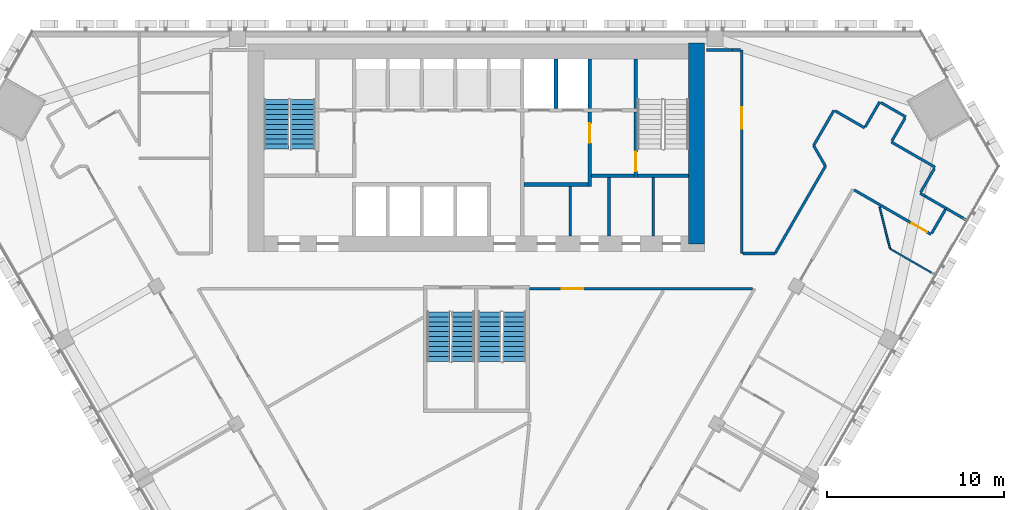
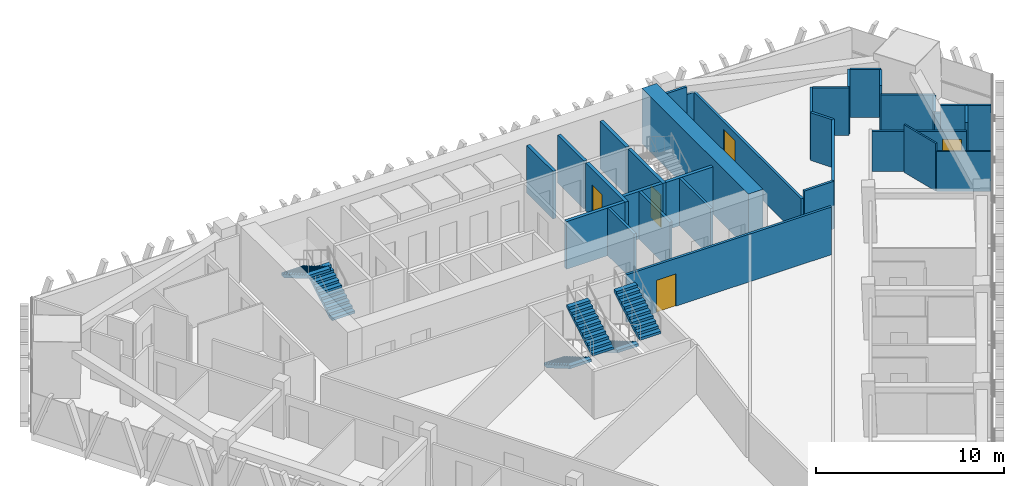
# One storey, part 12 of 16: 33 walls, 6 stair flights, 5 doors, 5 openings, 3 elements without a shape of their own.
"""IFC4 building model written with IfcOpenShell, lengths in metres."""

from ifc_helpers import new_model, si_unit, direction, frame, frame_2d, origin, place, context, subcontext, project, spatial, polyline, rectangle, outline, extrude, material, layer, layer_set, type_object, element, fill, aggregate, save


model = new_model("IFC4")

# Units and contexts
model_context = context("Model", 3, precision=1e-05, world=origin(), true_north=direction((0.0, 1.0)))
body_context = subcontext(model_context, "Body", "Model", "MODEL_VIEW")
ifc_project = project(units=[si_unit("LENGTHUNIT", "METRE"), si_unit("AREAUNIT", "SQUARE_METRE"), si_unit("VOLUMEUNIT", "CUBIC_METRE"), si_unit("PLANEANGLEUNIT", "RADIAN"), si_unit("MASSUNIT", "GRAM", prefix="KILO")], contexts=[model_context])

# Site, building, storey
site_placement = place(None, origin())
site = spatial("IfcSite", under=ifc_project, at=site_placement, CompositionType="ELEMENT")
building_placement = place(site_placement, origin())
building = spatial("IfcBuilding", under=site, at=building_placement, Name="Altiplano Prism Tower", CompositionType="ELEMENT")
storey_placement = place(building_placement, frame((0.0, 0.0, 81.0)))
storey = spatial("IfcBuildingStorey", under=building, at=storey_placement, Name="L20", CompositionType="ELEMENT", Elevation=81.0)

# Walls
ifc_material_1 = material(Name="Concrete C70/85", Category="concrete")
ifc_layer_1 = layer(ifc_material_1, 0.89990234375)
ifc_layer_set_1 = layer_set([ifc_layer_1], Name="Concrete C70/85")
wall_type_1 = type_object("IfcWallType", Name="Core wall 900", PredefinedType="SHEAR", material=ifc_layer_set_1)
wall_1_placement = place(storey_placement, frame((97.449951171875, 92.949951171875, 0.0), z_axis=(0.0, 0.0, 1.0), x_axis=(0.0, 1.0, 0.0)))
element("IfcWall", 1, at=wall_1_placement, inside=storey, type_object=wall_type_1, Name="Core wall E L20", PredefinedType="SHEAR", context=body_context, shape_type="SweptSolid", body=[
    extrude(rectangle(XDim=11.35009765625, YDim=0.89990234375, at=frame_2d((5.675048828125, 0.0))), origin(), (0.0, 0.0, 1.0), 3.60009765625),
])
ifc_material_2 = material(Name="Plasterboard on steel stud", Category="steel")
ifc_layer_2 = layer(ifc_material_2, 0.10009765625)
ifc_layer_set_2 = layer_set([ifc_layer_2], Name="Plasterboard on steel stud")
wall_type_2 = type_object("IfcWallType", Name="Partition 100 wet", PredefinedType="PARTITIONING", material=ifc_layer_set_2)
wall_2_placement = place(storey_placement, frame((110.91748046875, 91.20654296875, 0.0), z_axis=(0.0, 0.0, 1.0), x_axis=(-0.865996226145, 0.500050533749, 0.0)))
element("IfcWall", 2, at=wall_2_placement, inside=storey, type_object=wall_type_2, Name="Partition P03 L20 072", PredefinedType="PARTITIONING", context=body_context, shape_type="SweptSolid", body=[
    extrude(rectangle(XDim=2.920166015625, YDim=0.10009765625, at=frame_2d((1.4599609375, 0.0))), origin(), (0.0, 0.0, 1.0), 2.60009765625),
])
wall_3_placement = place(storey_placement, frame((108.388671875, 92.666748046875, 0.0), z_axis=(0.0, 0.0, 1.0), x_axis=(-0.241970246572, 0.970283669745, 0.0)))
element("IfcWall", 3, at=wall_3_placement, inside=storey, type_object=wall_type_2, Name="Partition P03 L20 073", PredefinedType="PARTITIONING", context=body_context, shape_type="SweptSolid", body=[
    extrude(rectangle(XDim=2.438720703125, YDim=0.10009765625, at=frame_2d((1.21923828125, 0.0))), origin(), (0.0, 0.0, 1.0), 3.10009765625),
])

# Wall, opening, door
ifc_layer_3 = layer(ifc_material_2, 0.14990234375)
ifc_layer_set_3 = layer_set([ifc_layer_3], Name="Plasterboard on steel stud")
wall_type_3 = type_object("IfcWallType", Name="Partition 150 corridor", PredefinedType="PARTITIONING", material=ifc_layer_set_3)
wall_4_placement = place(storey_placement, frame((106.3544921875, 95.993408203125, 0.0), z_axis=(0.0, 0.0, 1.0), x_axis=(0.86603105345, -0.499990214365, 0.0)))
wall_4 = element("IfcWall", 4, at=wall_4_placement, inside=storey, type_object=wall_type_3, Name="Partition P06 L20 018", PredefinedType="PARTITIONING", context=body_context, shape_type="SweptSolid", body=[
    extrude(rectangle(XDim=5.02490234375, YDim=0.14990234375, at=frame_2d((2.512451171875, 0.0))), origin(), (0.0, 0.0, 1.0), 2.60009765625),
])
opening_1_placement = place(wall_4_placement, frame((3.757080078125, 0.0, 0.0)))
opening_1 = element("IfcOpeningElement", 5, at=opening_1_placement, cuts=wall_4, Name="Opening D0778", PredefinedType="OPENING", context=body_context, shape_type="SweptSolid", body=[
    extrude(rectangle(XDim=1.0, YDim=2.10009765625, at=frame_2d((0.5, 1.050048828125))), frame((0.0, 0.08544921875, 0.0), z_axis=(0.0, -1.0, 0.0), x_axis=(1.0, 0.0, 0.0)), (0.0, 0.0, 1.0), 0.1708984375),
])
ifc_material_3 = material(Name="Timber", Category="wood")
door_type_1 = type_object("IfcDoorType", Name="Room door 1000 x 2100", OperationType="NOTDEFINED", PredefinedType="NOTDEFINED", material=ifc_material_3)
door_1_placement = place(opening_1_placement, origin())
door_1 = element("IfcDoor", 6, at=door_1_placement, inside=storey, type_object=door_type_1, Name="Door D0778", OperationType="SINGLE_SWING_LEFT", OverallHeight=2.10009765625, OverallWidth=1.0, PredefinedType="NOTDEFINED", context=body_context, shape_type="SweptSolid", body=[
    extrude(rectangle(XDim=1.0, YDim=2.10009765625, at=frame_2d((0.5, 1.050048828125))), frame((0.0, 0.02490234375, 0.0), z_axis=(0.0, -1.0, 0.0), x_axis=(1.0, 0.0, 0.0)), (0.0, 0.0, 1.0), 0.050048828125),
])
fill(opening_1, door_1)

# Walls
wall_5_placement = place(storey_placement, frame((110.74365234375, 93.5458984375, 0.0), z_axis=(0.0, 0.0, 1.0), x_axis=(0.500086022567, 0.865975732936, 0.0)))
element("IfcWall", 7, at=wall_5_placement, inside=storey, type_object=wall_type_3, Name="Partition P06 L20 019", PredefinedType="PARTITIONING", context=body_context, shape_type="SweptSolid", body=[
    extrude(rectangle(XDim=1.550048828125, YDim=0.14990234375, at=frame_2d((0.77490234375, 0.0))), origin(), (0.0, 0.0, 1.0), 3.10009765625),
])
wall_6_placement = place(storey_placement, frame((111.573486328125, 94.943115234375, 0.0), z_axis=(0.0, 0.0, 1.0), x_axis=(-0.865985641702, 0.500068863623, 0.0)))
element("IfcWall", 8, at=wall_6_placement, inside=storey, type_object=wall_type_3, Name="Partition P06 L20 022", PredefinedType="PARTITIONING", context=body_context, shape_type="SweptSolid", body=[
    extrude(rectangle(XDim=1.403076171875, YDim=0.14990234375, at=frame_2d((0.70166015625, 0.0))), origin(), (0.0, 0.0, 1.0), 3.10009765625),
])
wall_7_placement = place(storey_placement, frame((110.3583984375, 95.644775390625, 0.0), z_axis=(0.0, 0.0, 1.0), x_axis=(-0.8660059538, 0.500033686847, 0.0)))
element("IfcWall", 9, at=wall_7_placement, inside=storey, type_object=wall_type_3, Name="Partition P06 L20 023", PredefinedType="PARTITIONING", context=body_context, shape_type="SweptSolid", body=[
    extrude(rectangle(XDim=0.31689453125, YDim=0.14990234375, at=frame_2d((0.158447265625, 0.0))), origin(), (0.0, 0.0, 1.0), 2.60009765625),
])
wall_8_placement = place(storey_placement, frame((110.12158203125, 95.8681640625, 0.0), z_axis=(0.0, 0.0, 1.0), x_axis=(0.499967891604, 0.866043940782, 0.0)))
element("IfcWall", 10, at=wall_8_placement, inside=storey, type_object=wall_type_3, Name="Partition P06 L20 024", PredefinedType="PARTITIONING", context=body_context, shape_type="SweptSolid", body=[
    extrude(rectangle(XDim=1.5498046875, YDim=0.14990234375, at=frame_2d((0.77490234375, 0.0))), origin(), (0.0, 0.0, 1.0), 2.60009765625),
])
wall_9_placement = place(storey_placement, frame((110.93408203125, 97.275390625, 0.0), z_axis=(0.0, 0.0, 1.0), x_axis=(-0.866039195244, 0.499976111731, 0.0)))
element("IfcWall", 11, at=wall_9_placement, inside=storey, type_object=wall_type_3, Name="Partition P06 L20 025", PredefinedType="PARTITIONING", context=body_context, shape_type="SweptSolid", body=[
    extrude(rectangle(XDim=2.860595703125, YDim=0.14990234375, at=frame_2d((1.43017578125, 0.0))), origin(), (0.0, 0.0, 1.0), 2.60009765625),
])
wall_10_placement = place(storey_placement, frame((108.494384765625, 98.7705078125, 0.0), z_axis=(0.0, 0.0, 1.0), x_axis=(0.499973719246, 0.866040576453, 0.0)))
element("IfcWall", 12, at=wall_10_placement, inside=storey, type_object=wall_type_3, Name="Partition P06 L20 026", PredefinedType="PARTITIONING", context=body_context, shape_type="SweptSolid", body=[
    extrude(rectangle(XDim=1.48583984375, YDim=0.14990234375, at=frame_2d((0.742919921875, 0.0))), origin(), (0.0, 0.0, 1.0), 3.10009765625),
])
for number, where, z_axis, x_axis, name in (
    (13, (109.274658203125, 100.122314453125, 0.0), (0.0, 0.0, 1.0), (-0.866015446554, 0.500017246033, 0.0), "Partition P06 L20 027"),
    (14, (107.802490234375, 100.97216796875, 0.0), (0.0, 0.0, 1.0), (-0.500017246033, -0.866015446554, 0.0), "Partition P06 L20 028"),
):
    element("IfcWall", number, at=place(storey_placement, frame(where, z_axis=z_axis, x_axis=x_axis)), inside=storey, type_object=wall_type_3, Name=name, PredefinedType="PARTITIONING", context=body_context, shape_type="SweptSolid", body=[
        extrude(rectangle(XDim=1.625, YDim=0.14990234375, at=frame_2d((0.8125, 0.0))), origin(), (0.0, 0.0, 1.0), 3.10009765625),
    ])
wall_11_placement = place(storey_placement, frame((106.952392578125, 99.5, 0.0), z_axis=(0.0, 0.0, 1.0), x_axis=(-0.866033512162, 0.499985955615, 0.0)))
element("IfcWall", 15, at=wall_11_placement, inside=storey, type_object=wall_type_3, Name="Partition P06 L20 029", PredefinedType="PARTITIONING", context=body_context, shape_type="SweptSolid", body=[
    extrude(rectangle(XDim=1.9248046875, YDim=0.14990234375, at=frame_2d((0.96240234375, 0.0))), origin(), (0.0, 0.0, 1.0), 3.10009765625),
])
wall_12_placement = place(storey_placement, frame((105.220458984375, 100.5, 0.0), z_axis=(0.0, 0.0, 1.0), x_axis=(-0.500027479704, -0.866009537788, 0.0)))
element("IfcWall", 16, at=wall_12_placement, inside=storey, type_object=wall_type_3, Name="Partition P06 L20 030", PredefinedType="PARTITIONING", context=body_context, shape_type="SweptSolid", body=[
    extrude(rectangle(XDim=2.309326171875, YDim=0.14990234375, at=frame_2d((1.15478515625, 0.0))), origin(), (0.0, 0.0, 1.0), 3.10009765625),
])
wall_13_placement = place(storey_placement, frame((104.065673828125, 98.5, 0.0), z_axis=(0.0, 0.0, 1.0), x_axis=(0.499980071345, -0.866036909293, 0.0)))
element("IfcWall", 17, at=wall_13_placement, inside=storey, type_object=wall_type_3, Name="Partition P06 L20 031", PredefinedType="PARTITIONING", context=body_context, shape_type="SweptSolid", body=[
    extrude(rectangle(XDim=1.33984375, YDim=0.14990234375, at=frame_2d((0.669921875, 0.0))), origin(), (0.0, 0.0, 1.0), 3.10009765625),
])
wall_14_placement = place(storey_placement, frame((104.735595703125, 97.339599609375, 0.0), z_axis=(0.0, 0.0, 1.0), x_axis=(-0.499983049987, -0.866035189658, 0.0)))
element("IfcWall", 18, at=wall_14_placement, inside=storey, type_object=wall_type_3, Name="Partition P06 L20 032", PredefinedType="PARTITIONING", context=body_context, shape_type="SweptSolid", body=[
    extrude(rectangle(XDim=5.703857421875, YDim=0.14990234375, at=frame_2d((2.85205078125, 0.0))), origin(), (0.0, 0.0, 1.0), 3.10009765625),
])
wall_15_placement = place(storey_placement, frame((101.8837890625, 92.39990234375, 0.0), z_axis=(0.0, 0.0, 1.0), x_axis=(-1.0, 0.0, 0.0)))
element("IfcWall", 19, at=wall_15_placement, inside=storey, type_object=wall_type_3, Name="Partition P06 L20 033", PredefinedType="PARTITIONING", context=body_context, shape_type="SweptSolid", body=[
    extrude(rectangle(XDim=1.808837890625, YDim=0.14990234375, at=frame_2d((0.904296875, 0.0))), origin(), (0.0, 0.0, 1.0), 3.10009765625),
])

# Wall, opening, door
wall_16_placement = place(storey_placement, frame((100.0, 92.39990234375, 0.0), z_axis=(0.0, 0.0, 1.0), x_axis=(0.0, 1.0, 0.0)))
wall_16 = element("IfcWall", 20, at=wall_16_placement, inside=storey, type_object=wall_type_3, Name="Partition P06 L20 034", PredefinedType="PARTITIONING", context=body_context, shape_type="SweptSolid", body=[
    extrude(rectangle(XDim=11.5, YDim=0.14990234375, at=frame_2d((5.75, 0.0))), origin(), (0.0, 0.0, 1.0), 2.60009765625),
])
opening_2_placement = place(wall_16_placement, frame((7.05908203125, 0.0, 0.0)))
opening_2 = element("IfcOpeningElement", 21, at=opening_2_placement, cuts=wall_16, Name="Opening D0781", PredefinedType="OPENING", context=body_context, shape_type="SweptSolid", body=[
    extrude(rectangle(XDim=1.199951171875, YDim=2.10009765625, at=frame_2d((0.60009765625, 1.050048828125))), frame((0.0, 0.08544921875, 0.0), z_axis=(0.0, -1.0, 0.0), x_axis=(1.0, 0.0, 0.0)), (0.0, 0.0, 1.0), 0.1708984375),
])
door_type_2 = type_object("IfcDoorType", Name="Shared room door 1200 x 2100", OperationType="NOTDEFINED", PredefinedType="NOTDEFINED", material=ifc_material_3)
door_2_placement = place(opening_2_placement, origin())
door_2 = element("IfcDoor", 22, at=door_2_placement, inside=storey, type_object=door_type_2, Name="Door D0781", OperationType="SINGLE_SWING_RIGHT", OverallHeight=2.10009765625, OverallWidth=1.199951171875, PredefinedType="NOTDEFINED", context=body_context, shape_type="SweptSolid", body=[
    extrude(rectangle(XDim=1.199951171875, YDim=2.10009765625, at=frame_2d((0.60009765625, 1.050048828125))), frame((0.0, 0.02490234375, 0.0), z_axis=(0.0, -1.0, 0.0), x_axis=(1.0, 0.0, 0.0)), (0.0, 0.0, 1.0), 0.050048828125),
])
fill(opening_2, door_2)

# Walls
wall_17_placement = place(storey_placement, frame((99.925048828125, 103.89990234375, 0.0), z_axis=(0.0, 0.0, 1.0), x_axis=(-1.0, 0.0, 0.0)))
element("IfcWall", 23, at=wall_17_placement, inside=storey, type_object=wall_type_3, Name="Partition P06 L20 035", PredefinedType="PARTITIONING", context=body_context, shape_type="SweptSolid", body=[
    extrude(rectangle(XDim=0.433349609375, YDim=0.14990234375, at=frame_2d((0.216796875, 0.0))), origin(), (0.0, 0.0, 1.0), 2.60009765625),
])
wall_18_placement = place(storey_placement, frame((99.49169921875, 103.89990234375, 0.0), z_axis=(0.0, 0.0, 1.0), x_axis=(-1.0, 0.0, 0.0)))
element("IfcWall", 24, at=wall_18_placement, inside=storey, type_object=wall_type_3, Name="Partition P06 L20 036", PredefinedType="PARTITIONING", context=body_context, shape_type="SweptSolid", body=[
    extrude(rectangle(XDim=1.49169921875, YDim=0.14990234375, at=frame_2d((0.745849609375, 0.0))), origin(), (0.0, 0.0, 1.0), 3.10009765625),
])

# Wall, opening, door
wall_19_placement = place(storey_placement, frame((88.0, 90.39990234375, 0.0), z_axis=(0.0, 0.0, 1.0), x_axis=(1.0, 0.0, 0.0)))
wall_19 = element("IfcWall", 25, at=wall_19_placement, inside=storey, type_object=wall_type_3, Name="Partition P06 L20 037", PredefinedType="PARTITIONING", context=body_context, shape_type="SweptSolid", body=[
    extrude(rectangle(XDim=12.59912109375, YDim=0.14990234375, at=frame_2d((6.299560546875, 0.0))), origin(), (0.0, 0.0, 1.0), 3.10009765625),
])
opening_3_placement = place(wall_19_placement, frame((1.8330078125, 0.0, 0.0)))
opening_3 = element("IfcOpeningElement", 26, at=opening_3_placement, cuts=wall_19, Name="Opening D0783", PredefinedType="OPENING", context=body_context, shape_type="SweptSolid", body=[
    extrude(rectangle(XDim=1.199951171875, YDim=2.10009765625, at=frame_2d((0.60009765625, 1.050048828125))), frame((0.0, 0.08544921875, 0.0), z_axis=(0.0, -1.0, 0.0), x_axis=(1.0, 0.0, 0.0)), (0.0, 0.0, 1.0), 0.1708984375),
])
door_3_placement = place(opening_3_placement, origin())
door_3 = element("IfcDoor", 27, at=door_3_placement, inside=storey, type_object=door_type_2, Name="Door D0783", OperationType="SINGLE_SWING_LEFT", OverallHeight=2.10009765625, OverallWidth=1.199951171875, PredefinedType="NOTDEFINED", context=body_context, shape_type="SweptSolid", body=[
    extrude(rectangle(XDim=1.199951171875, YDim=2.10009765625, at=frame_2d((0.60009765625, 1.050048828125))), frame((0.0, 0.02490234375, 0.0), z_axis=(0.0, -1.0, 0.0), x_axis=(1.0, 0.0, 0.0)), (0.0, 0.0, 1.0), 0.050048828125),
])
fill(opening_3, door_3)

# Walls
ifc_layer_4 = layer(ifc_material_2, 0.14990234375)
ifc_layer_set_4 = layer_set([ifc_layer_4], Name="Plasterboard on steel stud")
wall_type_4 = type_object("IfcWallType", Name="Partition 150 party", PredefinedType="PARTITIONING", material=ifc_layer_set_4)
wall_20_placement = place(storey_placement, frame((112.699462890625, 94.29296875, 0.0), z_axis=(0.0, 0.0, 1.0), x_axis=(-0.866004217611, 0.500036693733, 0.0)))
element("IfcWall", 28, at=wall_20_placement, inside=storey, type_object=wall_type_4, Name="Partition P01 L20 074", PredefinedType="PARTITIONING", context=body_context, shape_type="SweptSolid", body=[
    extrude(rectangle(XDim=1.30029296875, YDim=0.14990234375, at=frame_2d((0.650146484375, 0.0))), origin(), (0.0, 0.0, 1.0), 3.10009765625),
])
ifc_material_4 = material(Name="Fire-rated gypsum board partition")
ifc_layer_5 = layer(ifc_material_4, 0.14990234375)
ifc_layer_set_5 = layer_set([ifc_layer_5], Name="Fire-rated gypsum board partition")
wall_type_5 = type_object("IfcWallType", Name="Room partition 150", PredefinedType="PARTITIONING", material=ifc_layer_set_5)
wall_21_placement = place(storey_placement, frame((90.300048828125, 93.39990234375, 0.0), z_axis=(0.0, 0.0, 1.0), x_axis=(0.0, 1.0, 0.0)))
element("IfcWall", 29, at=wall_21_placement, inside=storey, type_object=wall_type_5, Name="Room partition L20", PredefinedType="PARTITIONING", context=body_context, shape_type="SweptSolid", body=[
    extrude(rectangle(XDim=2.800048828125, YDim=0.14990234375, at=frame_2d((1.39990234375, 0.0))), origin(), (0.0, 0.0, 1.0), 3.10009765625),
])
for number, where, z_axis, x_axis, name in (
    (30, (92.5, 93.39990234375, 0.0), (0.0, 0.0, 1.0), (0.0, 1.0, 0.0), "Room partition L20"),
    (31, (95.0, 93.39990234375, 0.0), (0.0, 0.0, 1.0), (0.0, 1.0, 0.0), "Room partition L20"),
):
    element("IfcWall", number, at=place(storey_placement, frame(where, z_axis=z_axis, x_axis=x_axis)), inside=storey, type_object=wall_type_5, Name=name, PredefinedType="PARTITIONING", context=body_context, shape_type="SweptSolid", body=[
        extrude(rectangle(XDim=3.300048828125, YDim=0.14990234375, at=frame_2d((1.64990234375, 0.0))), origin(), (0.0, 0.0, 1.0), 3.10009765625),
    ])
ifc_material_5 = material(Name="Concrete C60/75", Category="concrete")
ifc_layer_6 = layer(ifc_material_5, 0.199951171875)
ifc_layer_set_6 = layer_set([ifc_layer_6], Name="Concrete C60/75")
wall_type_6 = type_object("IfcWallType", Name="Shaft wall 200", PredefinedType="SOLIDWALL", material=ifc_layer_set_6)
for number, where, z_axis, x_axis, name in (
    (32, (89.5, 100.60009765625, 0.0), (0.0, 0.0, 1.0), (0.0, 1.0, 0.0), "Shaft wall L20"),
    (33, (91.39990234375, 100.60009765625, 0.0), (0.0, 0.0, 1.0), (0.0, 1.0, 0.0), "Shaft wall L20"),
):
    element("IfcWall", number, at=place(storey_placement, frame(where, z_axis=z_axis, x_axis=x_axis)), inside=storey, type_object=wall_type_6, Name=name, PredefinedType="SOLIDWALL", context=body_context, shape_type="SweptSolid", body=[
        extrude(rectangle(XDim=2.7998046875, YDim=0.199951171875, at=frame_2d((1.39990234375, 0.0))), origin(), (0.0, 0.0, 1.0), 3.10009765625),
    ])

# Wall, opening, door
ifc_layer_7 = layer(ifc_material_5, 0.199951171875)
ifc_layer_set_7 = layer_set([ifc_layer_7], Name="Concrete C60/75")
wall_type_7 = type_object("IfcWallType", Name="Stair wall 200", PredefinedType="SOLIDWALL", material=ifc_layer_set_7)
wall_22_placement = place(storey_placement, frame((94.0, 96.699951171875, 0.0), z_axis=(0.0, 0.0, 1.0), x_axis=(0.0, 1.0, 0.0)))
wall_22 = element("IfcWall", 34, at=wall_22_placement, inside=storey, type_object=wall_type_7, Name="Stair wall L20", PredefinedType="SOLIDWALL", context=body_context, shape_type="SweptSolid", body=[
    extrude(rectangle(XDim=3.699951171875, YDim=0.199951171875, at=frame_2d((1.85009765625, 0.0))), origin(), (0.0, 0.0, 1.0), 3.10009765625),
])
opening_4_placement = place(wall_22_placement, frame((0.35009765625, 0.0, 0.0)))
opening_4 = element("IfcOpeningElement", 35, at=opening_4_placement, cuts=wall_22, Name="Opening D2856", PredefinedType="OPENING", context=body_context, shape_type="SweptSolid", body=[
    extrude(rectangle(XDim=1.10009765625, YDim=2.10009765625, at=frame_2d((0.550048828125, 1.050048828125))), frame((0.0, 0.1103515625, 0.0), z_axis=(0.0, -1.0, 0.0), x_axis=(1.0, 0.0, 0.0)), (0.0, 0.0, 1.0), 0.220947265625),
])
ifc_material_6 = material(Name="Fire-rated steel door", Category="steel")
door_type_3 = type_object("IfcDoorType", Name="Stair fire door 1100 x 2100", OperationType="NOTDEFINED", PredefinedType="NOTDEFINED", material=ifc_material_6)
door_4_placement = place(opening_4_placement, origin())
door_4 = element("IfcDoor", 36, at=door_4_placement, inside=storey, type_object=door_type_3, Name="Stair fire door D2856", OperationType="SINGLE_SWING_LEFT", OverallHeight=2.10009765625, OverallWidth=1.10009765625, PredefinedType="NOTDEFINED", context=body_context, shape_type="SweptSolid", body=[
    extrude(rectangle(XDim=1.10009765625, YDim=2.10009765625, at=frame_2d((0.550048828125, 1.050048828125))), frame((0.0, 0.02490234375, 0.0), z_axis=(0.0, -1.0, 0.0), x_axis=(1.0, 0.0, 0.0)), (0.0, 0.0, 1.0), 0.050048828125),
])
fill(opening_4, door_4)

# Walls
wall_23_placement = place(storey_placement, frame((94.10009765625, 96.800048828125, 0.0), z_axis=(0.0, 0.0, 1.0), x_axis=(1.0, 0.0, 0.0)))
element("IfcWall", 37, at=wall_23_placement, inside=storey, type_object=wall_type_7, Name="Stair wall L20", PredefinedType="SOLIDWALL", context=body_context, shape_type="SweptSolid", body=[
    extrude(rectangle(XDim=2.89990234375, YDim=0.199951171875, at=frame_2d((1.449951171875, 0.0))), origin(), (0.0, 0.0, 1.0), 3.10009765625),
])
wall_24_placement = place(storey_placement, frame((94.0, 100.60009765625, 0.0), z_axis=(0.0, 0.0, 1.0), x_axis=(0.0, 1.0, 0.0)))
element("IfcWall", 38, at=wall_24_placement, inside=storey, type_object=wall_type_7, Name="Stair wall L20", PredefinedType="SOLIDWALL", context=body_context, shape_type="SweptSolid", body=[
    extrude(rectangle(XDim=2.7998046875, YDim=0.199951171875, at=frame_2d((1.39990234375, 0.0))), origin(), (0.0, 0.0, 1.0), 3.10009765625),
])
ifc_layer_8 = layer(ifc_material_5, 0.199951171875)
ifc_layer_set_8 = layer_set([ifc_layer_8], Name="Concrete C60/75")
wall_type_8 = type_object("IfcWallType", Name="Vestibule wall 200", PredefinedType="PARTITIONING", material=ifc_layer_set_8)
wall_25_placement = place(storey_placement, frame((87.699951171875, 96.300048828125, 0.0), z_axis=(0.0, 0.0, 1.0), x_axis=(1.0, 0.0, 0.0)))
element("IfcWall", 39, at=wall_25_placement, inside=storey, type_object=wall_type_8, Name="Vestibule wall L20", PredefinedType="PARTITIONING", context=body_context, shape_type="SweptSolid", body=[
    extrude(rectangle(XDim=3.60009765625, YDim=0.199951171875, at=frame_2d((1.800048828125, 0.0))), origin(), (0.0, 0.0, 1.0), 3.10009765625),
])

# Wall, opening, door
wall_26_placement = place(storey_placement, frame((91.39990234375, 96.199951171875, 0.0), z_axis=(0.0, 0.0, 1.0), x_axis=(0.0, 1.0, 0.0)))
wall_26 = element("IfcWall", 40, at=wall_26_placement, inside=storey, type_object=wall_type_8, Name="Vestibule wall L20", PredefinedType="PARTITIONING", context=body_context, shape_type="SweptSolid", body=[
    extrude(rectangle(XDim=4.199951171875, YDim=0.199951171875, at=frame_2d((2.10009765625, 0.0))), origin(), (0.0, 0.0, 1.0), 3.10009765625),
])
opening_5_placement = place(wall_26_placement, frame((2.449951171875, 0.0, 0.0)))
opening_5 = element("IfcOpeningElement", 41, at=opening_5_placement, cuts=wall_26, Name="Opening D2859", PredefinedType="OPENING", context=body_context, shape_type="SweptSolid", body=[
    extrude(rectangle(XDim=1.10009765625, YDim=2.10009765625, at=frame_2d((0.550048828125, 1.050048828125))), frame((0.0, 0.1103515625, 0.0), z_axis=(0.0, -1.0, 0.0), x_axis=(1.0, 0.0, 0.0)), (0.0, 0.0, 1.0), 0.220947265625),
])
door_type_4 = type_object("IfcDoorType", Name="Vestibule fire door 1100 x 2100", OperationType="NOTDEFINED", PredefinedType="NOTDEFINED", material=ifc_material_6)
door_5_placement = place(opening_5_placement, origin())
door_5 = element("IfcDoor", 42, at=door_5_placement, inside=storey, type_object=door_type_4, Name="Vestibule fire door D2859", OperationType="SINGLE_SWING_LEFT", OverallHeight=2.10009765625, OverallWidth=1.10009765625, PredefinedType="NOTDEFINED", context=body_context, shape_type="SweptSolid", body=[
    extrude(rectangle(XDim=1.10009765625, YDim=2.10009765625, at=frame_2d((0.550048828125, 1.050048828125))), frame((0.0, 0.02490234375, 0.0), z_axis=(0.0, -1.0, 0.0), x_axis=(1.0, 0.0, 0.0)), (0.0, 0.0, 1.0), 0.050048828125),
])
fill(opening_5, door_5)

# Wall
wall_27_placement = place(storey_placement, frame((91.5, 96.800048828125, 0.0), z_axis=(0.0, 0.0, 1.0), x_axis=(1.0, 0.0, 0.0)))
element("IfcWall", 43, at=wall_27_placement, inside=storey, type_object=wall_type_8, Name="Vestibule wall L20", PredefinedType="PARTITIONING", context=body_context, shape_type="SweptSolid", body=[
    extrude(rectangle(XDim=2.39990234375, YDim=0.199951171875, at=frame_2d((1.199951171875, 0.0))), origin(), (0.0, 0.0, 1.0), 3.10009765625),
])

# Stair, stair flights
ifc_material_7 = material(Name="Concrete C40/50", Category="concrete")
stair_type_1 = type_object("IfcStairType", Name="Exit stair 1400", PredefinedType="HALF_TURN_STAIR", material=ifc_material_7)
stair_1_placement = place(storey_placement, origin())
stair_1 = element("IfcStair", 44, at=stair_1_placement, inside=storey, type_object=stair_type_1, Name="L20 Exit Stair 1", PredefinedType="HALF_TURN_STAIR")
stair_flight_type = type_object("IfcStairFlightType", Name="Stair flight concrete 150", PredefinedType="STRAIGHT", material=ifc_material_7)
stair_flight_1_placement = place(storey_placement, frame((75.199951171875, 98.300048828125, 0.0), z_axis=(0.0, 0.0, 1.0), x_axis=(0.0, 1.0, 0.0)))
stair_flight_1 = element("IfcStairFlight", 45, at=stair_flight_1_placement, type_object=stair_flight_type, Name="ST1 flight 1", NumberOfRisers=11, NumberOfTreads=10, PredefinedType="STRAIGHT", RiserHeight=0.163636364, TreadLength=0.28, context=body_context, shape_type="SweptSolid", body=[
    extrude(outline(polyline([(0.0, 0.0), (0.0, 0.16357421875), (0.280029296875, 0.16357421875), (0.280029296875, 0.327392578125), (0.56005859375, 0.327392578125), (0.56005859375, 0.490966796875), (0.840087890625, 0.490966796875), (0.840087890625, 0.654541015625), (1.1201171875, 0.654541015625), (1.1201171875, 0.818115234375), (1.39990234375, 0.818115234375), (1.39990234375, 0.98193359375), (1.679931640625, 0.98193359375), (1.679931640625, 1.1455078125), (1.9599609375, 1.1455078125), (1.9599609375, 1.30908203125), (2.239990234375, 1.30908203125), (2.239990234375, 1.47265625), (2.52001953125, 1.47265625), (2.52001953125, 1.636474609375), (2.800048828125, 1.636474609375), (2.800048828125, 1.800048828125), (2.800048828125, 1.462646484375), (0.297119140625, 0.0), (0.0, 0.0)])), frame((0.0, 0.699951171875, 0.0), z_axis=(0.0, -1.0, 0.0), x_axis=(1.0, 0.0, 0.0)), (0.0, 0.0, 1.0), 1.39990234375),
])
stair_flight_2_placement = place(storey_placement, frame((73.699951171875, 101.10009765625, 1.800048828125), z_axis=(0.0, 0.0, 1.0), x_axis=(0.0, -1.0, 0.0)))
stair_flight_2 = element("IfcStairFlight", 46, at=stair_flight_2_placement, type_object=stair_flight_type, Name="ST1 flight 2", NumberOfRisers=11, NumberOfTreads=10, PredefinedType="STRAIGHT", RiserHeight=0.163636364, TreadLength=0.28, context=body_context, shape_type="SweptSolid", body=[
    extrude(outline(polyline([(0.0, 0.0), (0.0, 0.16357421875), (0.280029296875, 0.16357421875), (0.280029296875, 0.327392578125), (0.56005859375, 0.327392578125), (0.56005859375, 0.490966796875), (0.840087890625, 0.490966796875), (0.840087890625, 0.654541015625), (1.1201171875, 0.654541015625), (1.1201171875, 0.818115234375), (1.39990234375, 0.818115234375), (1.39990234375, 0.98193359375), (1.679931640625, 0.98193359375), (1.679931640625, 1.1455078125), (1.9599609375, 1.1455078125), (1.9599609375, 1.30908203125), (2.239990234375, 1.30908203125), (2.239990234375, 1.47265625), (2.52001953125, 1.47265625), (2.52001953125, 1.636474609375), (2.800048828125, 1.636474609375), (2.800048828125, 1.800048828125), (2.800048828125, 1.462646484375), (0.297119140625, 0.0), (0.0, 0.0)])), frame((0.0, 0.699951171875, 0.0), z_axis=(0.0, -1.0, 0.0), x_axis=(1.0, 0.0, 0.0)), (0.0, 0.0, 1.0), 1.39990234375),
])
aggregate(stair_1, [stair_flight_1, stair_flight_2])

stair_type_2 = type_object("IfcStairType", Name="Exit stair 1300", PredefinedType="HALF_TURN_STAIR", material=ifc_material_7)
stair_2_placement = place(storey_placement, origin())
stair_2 = element("IfcStair", 47, at=stair_2_placement, inside=storey, type_object=stair_type_2, Name="L20 Exit Stair 3A", PredefinedType="HALF_TURN_STAIR")
stair_flight_3_placement = place(storey_placement, frame((82.85009765625, 89.10009765625, 0.0), z_axis=(0.0, 0.0, 1.0), x_axis=(0.0, -1.0, 0.0)))
stair_flight_3 = element("IfcStairFlight", 48, at=stair_flight_3_placement, type_object=stair_flight_type, Name="ST3A flight 1", NumberOfRisers=11, NumberOfTreads=10, PredefinedType="STRAIGHT", RiserHeight=0.163636364, TreadLength=0.28, context=body_context, shape_type="SweptSolid", body=[
    extrude(outline(polyline([(0.0, 0.0), (0.0, 0.16357421875), (0.280029296875, 0.16357421875), (0.280029296875, 0.327392578125), (0.56005859375, 0.327392578125), (0.56005859375, 0.490966796875), (0.840087890625, 0.490966796875), (0.840087890625, 0.654541015625), (1.1201171875, 0.654541015625), (1.1201171875, 0.818115234375), (1.39990234375, 0.818115234375), (1.39990234375, 0.98193359375), (1.679931640625, 0.98193359375), (1.679931640625, 1.1455078125), (1.9599609375, 1.1455078125), (1.9599609375, 1.30908203125), (2.239990234375, 1.30908203125), (2.239990234375, 1.47265625), (2.52001953125, 1.47265625), (2.52001953125, 1.636474609375), (2.800048828125, 1.636474609375), (2.800048828125, 1.800048828125), (2.800048828125, 1.462646484375), (0.297119140625, 0.0), (0.0, 0.0)])), frame((0.0, 0.64990234375, 0.0), z_axis=(0.0, -1.0, 0.0), x_axis=(1.0, 0.0, 0.0)), (0.0, 0.0, 1.0), 1.300048828125),
])
stair_flight_4_placement = place(storey_placement, frame((84.25, 86.300048828125, 1.800048828125), z_axis=(0.0, 0.0, 1.0), x_axis=(0.0, 1.0, 0.0)))
stair_flight_4 = element("IfcStairFlight", 49, at=stair_flight_4_placement, type_object=stair_flight_type, Name="ST3A flight 2", NumberOfRisers=11, NumberOfTreads=10, PredefinedType="STRAIGHT", RiserHeight=0.163636364, TreadLength=0.28, context=body_context, shape_type="SweptSolid", body=[
    extrude(outline(polyline([(0.0, 0.0), (0.0, 0.16357421875), (0.280029296875, 0.16357421875), (0.280029296875, 0.327392578125), (0.56005859375, 0.327392578125), (0.56005859375, 0.490966796875), (0.840087890625, 0.490966796875), (0.840087890625, 0.654541015625), (1.1201171875, 0.654541015625), (1.1201171875, 0.818115234375), (1.39990234375, 0.818115234375), (1.39990234375, 0.98193359375), (1.679931640625, 0.98193359375), (1.679931640625, 1.1455078125), (1.9599609375, 1.1455078125), (1.9599609375, 1.30908203125), (2.239990234375, 1.30908203125), (2.239990234375, 1.47265625), (2.52001953125, 1.47265625), (2.52001953125, 1.636474609375), (2.800048828125, 1.636474609375), (2.800048828125, 1.800048828125), (2.800048828125, 1.462646484375), (0.297119140625, 0.0), (0.0, 0.0)])), frame((0.0, 0.64990234375, 0.0), z_axis=(0.0, -1.0, 0.0), x_axis=(1.0, 0.0, 0.0)), (0.0, 0.0, 1.0), 1.300048828125),
])
aggregate(stair_2, [stair_flight_3, stair_flight_4])

stair_3_placement = place(storey_placement, origin())
stair_3 = element("IfcStair", 50, at=stair_3_placement, inside=storey, type_object=stair_type_2, Name="L20 Exit Stair 3B", PredefinedType="HALF_TURN_STAIR")
stair_flight_5_placement = place(storey_placement, frame((85.75, 89.10009765625, 0.0), z_axis=(0.0, 0.0, 1.0), x_axis=(0.0, -1.0, 0.0)))
stair_flight_5 = element("IfcStairFlight", 51, at=stair_flight_5_placement, type_object=stair_flight_type, Name="ST3B flight 1", NumberOfRisers=11, NumberOfTreads=10, PredefinedType="STRAIGHT", RiserHeight=0.163636364, TreadLength=0.28, context=body_context, shape_type="SweptSolid", body=[
    extrude(outline(polyline([(0.0, 0.0), (0.0, 0.16357421875), (0.280029296875, 0.16357421875), (0.280029296875, 0.327392578125), (0.56005859375, 0.327392578125), (0.56005859375, 0.490966796875), (0.840087890625, 0.490966796875), (0.840087890625, 0.654541015625), (1.1201171875, 0.654541015625), (1.1201171875, 0.818115234375), (1.39990234375, 0.818115234375), (1.39990234375, 0.98193359375), (1.679931640625, 0.98193359375), (1.679931640625, 1.1455078125), (1.9599609375, 1.1455078125), (1.9599609375, 1.30908203125), (2.239990234375, 1.30908203125), (2.239990234375, 1.47265625), (2.52001953125, 1.47265625), (2.52001953125, 1.636474609375), (2.800048828125, 1.636474609375), (2.800048828125, 1.800048828125), (2.800048828125, 1.462646484375), (0.297119140625, 0.0), (0.0, 0.0)])), frame((0.0, 0.64990234375, 0.0), z_axis=(0.0, -1.0, 0.0), x_axis=(1.0, 0.0, 0.0)), (0.0, 0.0, 1.0), 1.300048828125),
])
stair_flight_6_placement = place(storey_placement, frame((87.14990234375, 86.300048828125, 1.800048828125), z_axis=(0.0, 0.0, 1.0), x_axis=(0.0, 1.0, 0.0)))
stair_flight_6 = element("IfcStairFlight", 52, at=stair_flight_6_placement, type_object=stair_flight_type, Name="ST3B flight 2", NumberOfRisers=11, NumberOfTreads=10, PredefinedType="STRAIGHT", RiserHeight=0.163636364, TreadLength=0.28, context=body_context, shape_type="SweptSolid", body=[
    extrude(outline(polyline([(0.0, 0.0), (0.0, 0.16357421875), (0.280029296875, 0.16357421875), (0.280029296875, 0.327392578125), (0.56005859375, 0.327392578125), (0.56005859375, 0.490966796875), (0.840087890625, 0.490966796875), (0.840087890625, 0.654541015625), (1.1201171875, 0.654541015625), (1.1201171875, 0.818115234375), (1.39990234375, 0.818115234375), (1.39990234375, 0.98193359375), (1.679931640625, 0.98193359375), (1.679931640625, 1.1455078125), (1.9599609375, 1.1455078125), (1.9599609375, 1.30908203125), (2.239990234375, 1.30908203125), (2.239990234375, 1.47265625), (2.52001953125, 1.47265625), (2.52001953125, 1.636474609375), (2.800048828125, 1.636474609375), (2.800048828125, 1.800048828125), (2.800048828125, 1.462646484375), (0.297119140625, 0.0), (0.0, 0.0)])), frame((0.0, 0.64990234375, 0.0), z_axis=(0.0, -1.0, 0.0), x_axis=(1.0, 0.0, 0.0)), (0.0, 0.0, 1.0), 1.300048828125),
])
aggregate(stair_3, [stair_flight_5, stair_flight_6])

save(model, "model.ifc")
